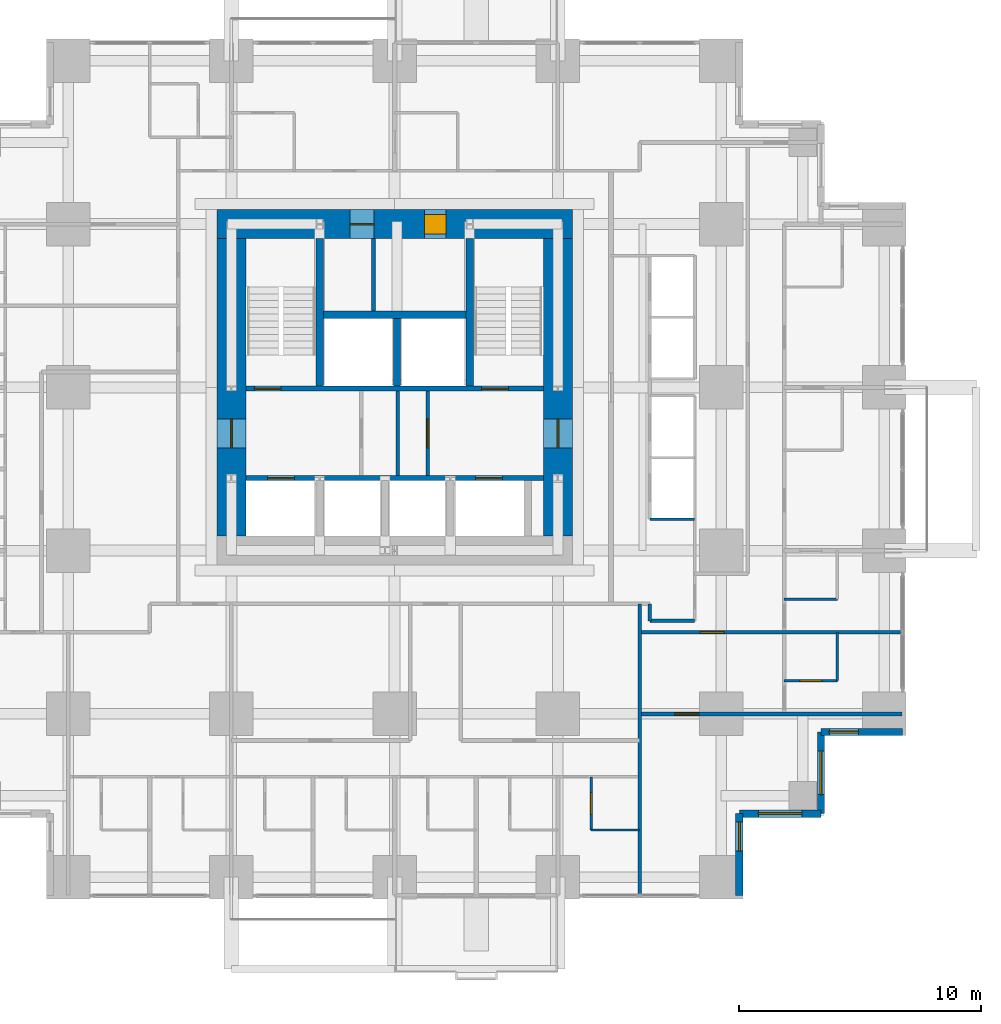
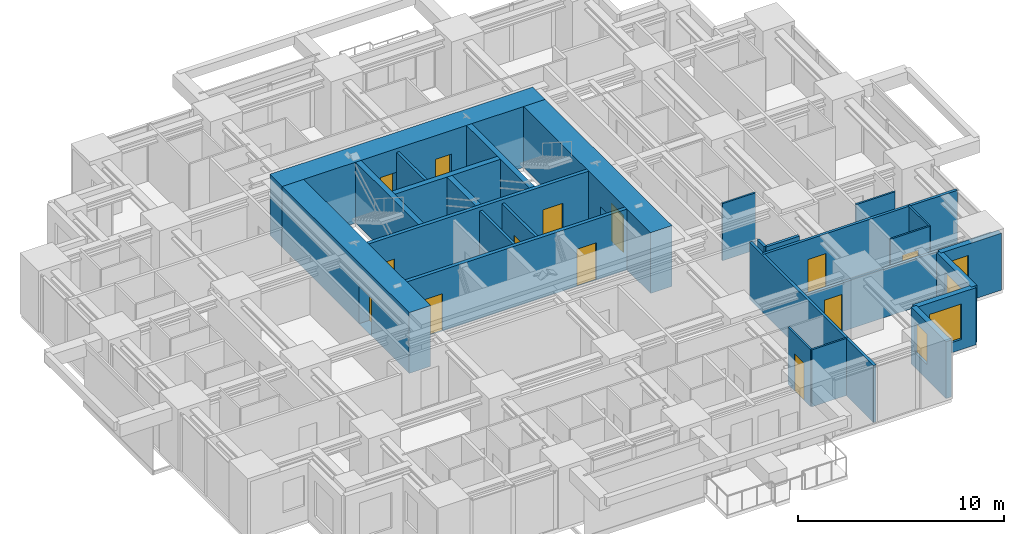
# One storey, part 9 of 13: 27 walls, 13 doors, 4 windows, 17 openings.
"""IFC4 building model written with IfcOpenShell, lengths in metres."""

from ifc_helpers import new_model, si_unit, direction, frame, frame_2d, origin, place, context, subcontext, project, spatial, rectangle, extrude, material, layer, layer_set, type_object, element, fill, save


model = new_model("IFC4")

# Units and contexts
model_context = context("Model", 3, precision=1e-05, world=origin(), true_north=direction((0.0, 1.0)))
body_context = subcontext(model_context, "Body", "Model", "MODEL_VIEW")
ifc_project = project(units=[si_unit("LENGTHUNIT", "METRE"), si_unit("AREAUNIT", "SQUARE_METRE"), si_unit("VOLUMEUNIT", "CUBIC_METRE"), si_unit("PLANEANGLEUNIT", "RADIAN"), si_unit("MASSUNIT", "GRAM", prefix="KILO")], contexts=[model_context])

# Site, building, storey
site_placement = place(None, origin())
site = spatial("IfcSite", under=ifc_project, at=site_placement, CompositionType="ELEMENT")
building_placement = place(site_placement, origin())
building = spatial("IfcBuilding", under=site, at=building_placement, Name="Nyansa Garden Tower", CompositionType="ELEMENT")
storey_placement = place(building_placement, frame((0.0, 0.0, 105.300048828125)))
storey = spatial("IfcBuildingStorey", under=building, at=storey_placement, Name="L28", CompositionType="ELEMENT", Elevation=105.300048828125)

# Wall, openings, doors
ifc_material_1 = material(Name="Concrete C70/85", Category="concrete")
ifc_layer_1 = layer(ifc_material_1, 0.199951171875)
ifc_layer_set_1 = layer_set([ifc_layer_1], Name="Core inner wall CI200")
wall_type_1 = type_object("IfcWallType", Name="Core inner wall CI200", PredefinedType="SHEAR", material=ifc_layer_set_1)
wall_1_placement = place(storey_placement, frame((14.10009765625, 16.5, 0.0), z_axis=(0.0, 0.0, 1.0), x_axis=(1.0, 0.0, 0.0)))
wall_1 = element("IfcWall", 1, at=wall_1_placement, inside=storey, type_object=wall_type_1, Name="Core inner wall L28", PredefinedType="SHEAR", context=body_context, shape_type="SweptSolid", body=[
    extrude(rectangle(XDim=12.2998046875, YDim=0.199951171875, at=frame_2d((6.14990234375, 0.0))), origin(), (0.0, 0.0, 1.0), 3.599853515625),
])
opening_1_placement = place(wall_1_placement, frame((0.89990234375, 0.0, 0.0)))
opening_1 = element("IfcOpeningElement", 2, at=opening_1_placement, cuts=wall_1, Name="Opening LD-F", PredefinedType="OPENING", context=body_context, shape_type="SweptSolid", body=[
    extrude(rectangle(XDim=1.10009765625, YDim=2.199951171875, at=frame_2d((0.550048828125, 1.10009765625))), frame((0.0, 0.10986328125, 0.0), z_axis=(0.0, -1.0, 0.0), x_axis=(1.0, 0.0, 0.0)), (0.0, 0.0, 1.0), 0.219970703125),
])
opening_2_placement = place(wall_1_placement, frame((9.5, 0.0, 0.0)))
opening_2 = element("IfcOpeningElement", 3, at=opening_2_placement, cuts=wall_1, Name="Opening LD-F", PredefinedType="OPENING", context=body_context, shape_type="SweptSolid", body=[
    extrude(rectangle(XDim=1.10009765625, YDim=2.199951171875, at=frame_2d((0.550048828125, 1.10009765625))), frame((0.0, 0.10986328125, 0.0), z_axis=(0.0, -1.0, 0.0), x_axis=(1.0, 0.0, 0.0)), (0.0, 0.0, 1.0), 0.219970703125),
])
ifc_material_2 = material(Name="Stainless steel centre-opening landing door of the firefighting lift, EN 81-72, E 120", Category="steel")
door_type_1 = type_object("IfcDoorType", Name="Lift landing door LD-F 1100x2200", OperationType="DOUBLE_DOOR_SLIDING", PredefinedType="DOOR", material=ifc_material_2)
door_1_placement = place(opening_1_placement, origin())
door_1 = element("IfcDoor", 4, at=door_1_placement, inside=storey, type_object=door_type_1, Name="Landing door FF1", OperationType="DOUBLE_DOOR_SLIDING", OverallHeight=2.199951171875, OverallWidth=1.10009765625, PredefinedType="DOOR", context=body_context, shape_type="SweptSolid", body=[
    extrude(rectangle(XDim=1.10009765625, YDim=2.199951171875, at=frame_2d((0.550048828125, 1.10009765625))), frame((0.0, 0.02490234375, 0.0), z_axis=(0.0, -1.0, 0.0), x_axis=(1.0, 0.0, 0.0)), (0.0, 0.0, 1.0), 0.050048828125),
])
fill(opening_1, door_1)
door_2_placement = place(opening_2_placement, origin())
door_2 = element("IfcDoor", 5, at=door_2_placement, inside=storey, type_object=door_type_1, Name="Landing door FF2", OperationType="DOUBLE_DOOR_SLIDING", OverallHeight=2.199951171875, OverallWidth=1.10009765625, PredefinedType="DOOR", context=body_context, shape_type="SweptSolid", body=[
    extrude(rectangle(XDim=1.10009765625, YDim=2.199951171875, at=frame_2d((0.550048828125, 1.10009765625))), frame((0.0, 0.02490234375, 0.0), z_axis=(0.0, -1.0, 0.0), x_axis=(1.0, 0.0, 0.0)), (0.0, 0.0, 1.0), 0.050048828125),
])
fill(opening_2, door_2)

wall_2_placement = place(storey_placement, frame((14.10009765625, 20.199951171875, 0.0), z_axis=(0.0, 0.0, 1.0), x_axis=(1.0, 0.0, 0.0)))
wall_2 = element("IfcWall", 6, at=wall_2_placement, inside=storey, type_object=wall_type_1, Name="Core inner wall L28", PredefinedType="SHEAR", context=body_context, shape_type="SweptSolid", body=[
    extrude(rectangle(XDim=12.2998046875, YDim=0.199951171875, at=frame_2d((6.14990234375, 0.0))), origin(), (0.0, 0.0, 1.0), 3.599853515625),
])
opening_3_placement = place(wall_2_placement, frame((0.35009765625, 0.0, 0.0)))
opening_3 = element("IfcOpeningElement", 7, at=opening_3_placement, cuts=wall_2, Name="Opening D05", PredefinedType="OPENING", context=body_context, shape_type="SweptSolid", body=[
    extrude(rectangle(XDim=1.10009765625, YDim=2.199951171875, at=frame_2d((0.550048828125, 1.10009765625))), frame((0.0, 0.10986328125, 0.0), z_axis=(0.0, -1.0, 0.0), x_axis=(1.0, 0.0, 0.0)), (0.0, 0.0, 1.0), 0.219970703125),
])
opening_4_placement = place(wall_2_placement, frame((9.75, 0.0, 0.0)))
opening_4 = element("IfcOpeningElement", 8, at=opening_4_placement, cuts=wall_2, Name="Opening D05", PredefinedType="OPENING", context=body_context, shape_type="SweptSolid", body=[
    extrude(rectangle(XDim=1.10009765625, YDim=2.199951171875, at=frame_2d((0.550048828125, 1.10009765625))), frame((0.0, 0.10986328125, 0.0), z_axis=(0.0, -1.0, 0.0), x_axis=(1.0, 0.0, 0.0)), (0.0, 0.0, 1.0), 0.219970703125),
])
ifc_material_3 = material(Name="Steel door, 120 minute fire resisting", Category="steel")
door_type_2 = type_object("IfcDoorType", Name="Stair door D05 1100x2200", OperationType="SINGLE_SWING_LEFT", PredefinedType="DOOR", material=ifc_material_3)
door_3_placement = place(opening_3_placement, origin())
door_3 = element("IfcDoor", 9, at=door_3_placement, inside=storey, type_object=door_type_2, Name="Stair S1 door", OperationType="SINGLE_SWING_LEFT", OverallHeight=2.199951171875, OverallWidth=1.10009765625, PredefinedType="DOOR", context=body_context, shape_type="SweptSolid", body=[
    extrude(rectangle(XDim=1.10009765625, YDim=2.199951171875, at=frame_2d((0.550048828125, 1.10009765625))), frame((0.0, 0.02490234375, 0.0), z_axis=(0.0, -1.0, 0.0), x_axis=(1.0, 0.0, 0.0)), (0.0, 0.0, 1.0), 0.050048828125),
])
fill(opening_3, door_3)
door_4_placement = place(opening_4_placement, origin())
door_4 = element("IfcDoor", 10, at=door_4_placement, inside=storey, type_object=door_type_2, Name="Stair S2 door", OperationType="SINGLE_SWING_LEFT", OverallHeight=2.199951171875, OverallWidth=1.10009765625, PredefinedType="DOOR", context=body_context, shape_type="SweptSolid", body=[
    extrude(rectangle(XDim=1.10009765625, YDim=2.199951171875, at=frame_2d((0.550048828125, 1.10009765625))), frame((0.0, 0.02490234375, 0.0), z_axis=(0.0, -1.0, 0.0), x_axis=(1.0, 0.0, 0.0)), (0.0, 0.0, 1.0), 0.050048828125),
])
fill(opening_4, door_4)

# Walls
ifc_material_4 = material(Name="Concrete C70/85", Category="concrete")
ifc_layer_2 = layer(ifc_material_4, 0.300048828125)
ifc_layer_set_2 = layer_set([ifc_layer_2], Name="Core inner wall CI300")
wall_type_2 = type_object("IfcWallType", Name="Core inner wall CI300", PredefinedType="SHEAR", material=ifc_layer_set_2)
for number, where, z_axis, x_axis, name in (
    (11, (17.14990234375, 20.300048828125, 0.0), (0.0, 0.0, 1.0), (0.0, 1.0, 0.0), "Core inner wall L28"),
    (12, (23.35009765625, 20.300048828125, 0.0), (0.0, 0.0, 1.0), (0.0, 1.0, 0.0), "Core inner wall L28"),
):
    element("IfcWall", number, at=place(storey_placement, frame(where, z_axis=z_axis, x_axis=x_axis)), inside=storey, type_object=wall_type_2, Name=name, PredefinedType="SHEAR", context=body_context, shape_type="SweptSolid", body=[
        extrude(rectangle(XDim=6.099853515625, YDim=0.300048828125, at=frame_2d((3.0498046875, 0.0))), origin(), (0.0, 0.0, 1.0), 3.599853515625),
    ])
wall_3_placement = place(storey_placement, frame((20.35009765625, 20.300048828125, 0.0), z_axis=(0.0, 0.0, 1.0), x_axis=(0.0, 1.0, 0.0)))
element("IfcWall", 13, at=wall_3_placement, inside=storey, type_object=wall_type_2, Name="Core inner wall L28", PredefinedType="SHEAR", context=body_context, shape_type="SweptSolid", body=[
    extrude(rectangle(XDim=2.800048828125, YDim=0.300048828125, at=frame_2d((1.39990234375, 0.0))), origin(), (0.0, 0.0, 1.0), 3.599853515625),
])
wall_4_placement = place(storey_placement, frame((17.300048828125, 23.25, 0.0), z_axis=(0.0, 0.0, 1.0), x_axis=(1.0, 0.0, 0.0)))
element("IfcWall", 14, at=wall_4_placement, inside=storey, type_object=wall_type_2, Name="Core inner wall L28", PredefinedType="SHEAR", context=body_context, shape_type="SweptSolid", body=[
    extrude(rectangle(XDim=5.89990234375, YDim=0.300048828125, at=frame_2d((2.949951171875, 0.0))), origin(), (0.0, 0.0, 1.0), 3.599853515625),
])

# Wall, opening, door
ifc_material_5 = material(Name="Concrete C80/95", Category="concrete")
ifc_layer_3 = layer(ifc_material_5, 1.199951171875)
ifc_layer_set_3 = layer_set([ifc_layer_3], Name="Core wall CW1200")
wall_type_3 = type_object("IfcWallType", Name="Core wall CW1200", PredefinedType="SHEAR", material=ifc_layer_set_3)
wall_5_placement = place(storey_placement, frame((27.0, 14.10009765625, 0.0), z_axis=(0.0, 0.0, 1.0), x_axis=(0.0, 1.0, 0.0)))
wall_5 = element("IfcWall", 15, at=wall_5_placement, inside=storey, type_object=wall_type_3, Name="Core wall E L28", PredefinedType="SHEAR", context=body_context, shape_type="SweptSolid", body=[
    extrude(rectangle(XDim=12.2998046875, YDim=1.199951171875, at=frame_2d((6.14990234375, 0.0))), origin(), (0.0, 0.0, 1.0), 3.599853515625),
])
opening_5_placement = place(wall_5_placement, frame((3.64990234375, 0.0, 0.0)))
opening_5 = element("IfcOpeningElement", 16, at=opening_5_placement, cuts=wall_5, Name="Opening D06", PredefinedType="OPENING", context=body_context, shape_type="SweptSolid", body=[
    extrude(rectangle(XDim=1.199951171875, YDim=2.199951171875, at=frame_2d((0.60009765625, 1.10009765625))), frame((0.0, 0.60986328125, 0.0), z_axis=(0.0, -1.0, 0.0), x_axis=(1.0, 0.0, 0.0)), (0.0, 0.0, 1.0), 1.219970703125),
])
ifc_material_6 = material(Name="Steel door, 120 minute fire resisting", Category="steel")
door_type_3 = type_object("IfcDoorType", Name="Lobby door D06 1200x2200", OperationType="DOUBLE_DOOR_SINGLE_SWING", PredefinedType="DOOR", material=ifc_material_6)
door_5_placement = place(opening_5_placement, origin())
door_5 = element("IfcDoor", 17, at=door_5_placement, inside=storey, type_object=door_type_3, Name="Lift lobby door east", OperationType="DOUBLE_DOOR_SINGLE_SWING", OverallHeight=2.199951171875, OverallWidth=1.199951171875, PredefinedType="DOOR", context=body_context, shape_type="SweptSolid", body=[
    extrude(rectangle(XDim=1.199951171875, YDim=2.199951171875, at=frame_2d((0.60009765625, 1.10009765625))), frame((0.0, 0.02490234375, 0.0), z_axis=(0.0, -1.0, 0.0), x_axis=(1.0, 0.0, 0.0)), (0.0, 0.0, 1.0), 0.050048828125),
])
fill(opening_5, door_5)

# Wall, openings, doors
wall_6_placement = place(storey_placement, frame((27.60009765625, 27.0, 0.0), z_axis=(0.0, 0.0, 1.0), x_axis=(-1.0, 0.0, 0.0)))
wall_6 = element("IfcWall", 18, at=wall_6_placement, inside=storey, type_object=wall_type_3, Name="Core wall N L28", PredefinedType="SHEAR", context=body_context, shape_type="SweptSolid", body=[
    extrude(rectangle(XDim=14.7001953125, YDim=1.199951171875, at=frame_2d((7.35009765625, 0.0))), origin(), (0.0, 0.0, 1.0), 3.599853515625),
])
opening_6_placement = place(wall_6_placement, frame((5.22509765625, 0.0, 0.0)))
opening_6 = element("IfcOpeningElement", 19, at=opening_6_placement, cuts=wall_6, Name="Opening D15", PredefinedType="OPENING", context=body_context, shape_type="SweptSolid", body=[
    extrude(rectangle(XDim=0.89990234375, YDim=2.199951171875, at=frame_2d((0.449951171875, 1.10009765625))), frame((0.0, 0.60986328125, 0.0), z_axis=(0.0, -1.0, 0.0), x_axis=(1.0, 0.0, 0.0)), (0.0, 0.0, 1.0), 1.219970703125),
])
opening_7_placement = place(wall_6_placement, frame((8.199951171875, 0.0, 0.0)))
opening_7 = element("IfcOpeningElement", 20, at=opening_7_placement, cuts=wall_6, Name="Opening D07", PredefinedType="OPENING", context=body_context, shape_type="SweptSolid", body=[
    extrude(rectangle(XDim=1.0, YDim=2.199951171875, at=frame_2d((0.5, 1.10009765625))), frame((0.0, 0.60986328125, 0.0), z_axis=(0.0, -1.0, 0.0), x_axis=(1.0, 0.0, 0.0)), (0.0, 0.0, 1.0), 1.219970703125),
])
ifc_material_7 = material(Name="Timber flush door, 60 minute fire resisting, self-closing", Category="wood")
door_type_4 = type_object("IfcDoorType", Name="Core room door D15 900x2200", OperationType="SINGLE_SWING_LEFT", PredefinedType="DOOR", material=ifc_material_7)
door_6_placement = place(opening_6_placement, origin())
door_6 = element("IfcDoor", 21, at=door_6_placement, inside=storey, type_object=door_type_4, Name="Core room door", OperationType="SINGLE_SWING_LEFT", OverallHeight=2.199951171875, OverallWidth=0.89990234375, PredefinedType="DOOR", context=body_context, shape_type="SweptSolid", body=[
    extrude(rectangle(XDim=0.89990234375, YDim=2.199951171875, at=frame_2d((0.449951171875, 1.10009765625))), frame((0.0, 0.39990234375, 0.0), z_axis=(0.0, -1.0, 0.0), x_axis=(1.0, 0.0, 0.0)), (0.0, 0.0, 1.0), 0.800048828125),
])
fill(opening_6, door_6)
ifc_material_8 = material(Name="Steel door, 120 minute fire resisting", Category="steel")
door_type_5 = type_object("IfcDoorType", Name="Riser door D07 1000x2200", OperationType="SINGLE_SWING_LEFT", PredefinedType="DOOR", material=ifc_material_8)
door_7_placement = place(opening_7_placement, origin())
door_7 = element("IfcDoor", 22, at=door_7_placement, inside=storey, type_object=door_type_5, Name="Riser and refuse room door", OperationType="SINGLE_SWING_LEFT", OverallHeight=2.199951171875, OverallWidth=1.0, PredefinedType="DOOR", context=body_context, shape_type="SweptSolid", body=[
    extrude(rectangle(XDim=1.0, YDim=2.199951171875, at=frame_2d((0.5, 1.10009765625))), frame((0.0, 0.02490234375, 0.0), z_axis=(0.0, -1.0, 0.0), x_axis=(1.0, 0.0, 0.0)), (0.0, 0.0, 1.0), 0.050048828125),
])
fill(opening_7, door_7)

# Wall, opening, door
wall_7_placement = place(storey_placement, frame((13.5, 26.39990234375, 0.0), z_axis=(0.0, 0.0, 1.0), x_axis=(0.0, -1.0, 0.0)))
wall_7 = element("IfcWall", 23, at=wall_7_placement, inside=storey, type_object=wall_type_3, Name="Core wall W L28", PredefinedType="SHEAR", context=body_context, shape_type="SweptSolid", body=[
    extrude(rectangle(XDim=12.2998046875, YDim=1.199951171875, at=frame_2d((6.14990234375, 0.0))), origin(), (0.0, 0.0, 1.0), 3.599853515625),
])
opening_8_placement = place(wall_7_placement, frame((7.449951171875, 0.0, 0.0)))
opening_8 = element("IfcOpeningElement", 24, at=opening_8_placement, cuts=wall_7, Name="Opening D06", PredefinedType="OPENING", context=body_context, shape_type="SweptSolid", body=[
    extrude(rectangle(XDim=1.199951171875, YDim=2.199951171875, at=frame_2d((0.60009765625, 1.10009765625))), frame((0.0, 0.60986328125, 0.0), z_axis=(0.0, -1.0, 0.0), x_axis=(1.0, 0.0, 0.0)), (0.0, 0.0, 1.0), 1.219970703125),
])
door_8_placement = place(opening_8_placement, origin())
door_8 = element("IfcDoor", 25, at=door_8_placement, inside=storey, type_object=door_type_3, Name="Lift lobby door west", OperationType="DOUBLE_DOOR_SINGLE_SWING", OverallHeight=2.199951171875, OverallWidth=1.199951171875, PredefinedType="DOOR", context=body_context, shape_type="SweptSolid", body=[
    extrude(rectangle(XDim=1.199951171875, YDim=2.199951171875, at=frame_2d((0.60009765625, 1.10009765625))), frame((0.0, 0.02490234375, 0.0), z_axis=(0.0, -1.0, 0.0), x_axis=(1.0, 0.0, 0.0)), (0.0, 0.0, 1.0), 0.050048828125),
])
fill(opening_8, door_8)

# Wall
ifc_material_9 = material(Name="Steel-stud shaft wall, two layers fire-rated board, EI 120", Category="steel")
ifc_layer_4 = layer(ifc_material_9, 0.10009765625)
ifc_layer_set_4 = layer_set([ifc_layer_4], Name="Lift shaft wall SW100")
wall_type_4 = type_object("IfcWallType", Name="Lift shaft wall SW100", PredefinedType="SHEAR", material=ifc_layer_set_4)
wall_8_placement = place(storey_placement, frame((30.800048828125, 14.800048828125, 0.0), z_axis=(0.0, 0.0, 1.0), x_axis=(1.0, 0.0, 0.0)))
element("IfcWall", 26, at=wall_8_placement, inside=storey, type_object=wall_type_4, Name="Lift shaft wall", PredefinedType="SHEAR", context=body_context, shape_type="SweptSolid", body=[
    extrude(rectangle(XDim=1.849853515625, YDim=0.10009765625, at=frame_2d((0.9248046875, 0.0))), origin(), (0.0, 0.0, 1.0), 3.375),
])

# Wall, opening, door
ifc_material_10 = material(Name="Blockwork, plastered both sides", Category="masonry")
ifc_layer_5 = layer(ifc_material_10, 0.14990234375)
ifc_layer_set_5 = layer_set([ifc_layer_5], Name="Partition PW150")
wall_type_5 = type_object("IfcWallType", Name="Partition PW150", PredefinedType="PARTITIONING", material=ifc_layer_set_5)
wall_9_placement = place(storey_placement, frame((21.625, 16.60009765625, 0.0), z_axis=(0.0, 0.0, 1.0), x_axis=(0.0, 1.0, 0.0)))
wall_9 = element("IfcWall", 27, at=wall_9_placement, inside=storey, type_object=wall_type_5, Name="Partition", PredefinedType="PARTITIONING", context=body_context, shape_type="SweptSolid", body=[
    extrude(rectangle(XDim=3.5, YDim=0.14990234375, at=frame_2d((1.75, 0.0))), origin(), (0.0, 0.0, 1.0), 3.375),
])
opening_9_placement = place(wall_9_placement, frame((1.14990234375, 0.0, 0.0)))
opening_9 = element("IfcOpeningElement", 28, at=opening_9_placement, cuts=wall_9, Name="Opening D06", PredefinedType="OPENING", context=body_context, shape_type="SweptSolid", body=[
    extrude(rectangle(XDim=1.199951171875, YDim=2.199951171875, at=frame_2d((0.60009765625, 1.10009765625))), frame((0.0, 0.0849609375, 0.0), z_axis=(0.0, -1.0, 0.0), x_axis=(1.0, 0.0, 0.0)), (0.0, 0.0, 1.0), 0.169921875),
])
door_9_placement = place(opening_9_placement, origin())
door_9 = element("IfcDoor", 29, at=door_9_placement, inside=storey, type_object=door_type_3, Name="Passenger lift lobby door", OperationType="DOUBLE_DOOR_SINGLE_SWING", OverallHeight=2.199951171875, OverallWidth=1.199951171875, PredefinedType="DOOR", context=body_context, shape_type="SweptSolid", body=[
    extrude(rectangle(XDim=1.199951171875, YDim=2.199951171875, at=frame_2d((0.60009765625, 1.10009765625))), frame((0.0, 0.02490234375, 0.0), z_axis=(0.0, -1.0, 0.0), x_axis=(1.0, 0.0, 0.0)), (0.0, 0.0, 1.0), 0.050048828125),
])
fill(opening_9, door_9)

# Walls
wall_10_placement = place(storey_placement, frame((20.3798828125, 16.60009765625, 0.0), z_axis=(0.0, 0.0, 1.0), x_axis=(0.0, 1.0, 0.0)))
element("IfcWall", 30, at=wall_10_placement, inside=storey, type_object=wall_type_5, Name="Partition", PredefinedType="PARTITIONING", context=body_context, shape_type="SweptSolid", body=[
    extrude(rectangle(XDim=3.5, YDim=0.14990234375, at=frame_2d((1.75, 0.0))), origin(), (0.0, 0.0, 1.0), 3.375),
])
wall_11_placement = place(storey_placement, frame((19.375, 23.39990234375, 0.0), z_axis=(0.0, 0.0, 1.0), x_axis=(0.0, 1.0, 0.0)))
element("IfcWall", 31, at=wall_11_placement, inside=storey, type_object=wall_type_5, Name="Partition", PredefinedType="PARTITIONING", context=body_context, shape_type="SweptSolid", body=[
    extrude(rectangle(XDim=3.0, YDim=0.14990234375, at=frame_2d((1.5, 0.0))), origin(), (0.0, 0.0, 1.0), 3.375),
])
wall_12_placement = place(storey_placement, frame((30.375, -0.73388671875, 0.0), z_axis=(0.0, 0.0, 1.0), x_axis=(0.0, 1.0, 0.0)))
element("IfcWall", 32, at=wall_12_placement, inside=storey, type_object=wall_type_5, Name="Partition", PredefinedType="PARTITIONING", context=body_context, shape_type="SweptSolid", body=[
    extrude(rectangle(XDim=12.033935546875, YDim=0.14990234375, at=frame_2d((6.01708984375, 0.0))), origin(), (0.0, 0.0, 1.0), 3.375),
])

# Wall, opening, door
wall_13_placement = place(storey_placement, frame((30.375, 6.75, 0.0), z_axis=(0.0, 0.0, 1.0), x_axis=(1.0, 0.0, 0.0)))
wall_13 = element("IfcWall", 33, at=wall_13_placement, inside=storey, type_object=wall_type_5, Name="Partition", PredefinedType="PARTITIONING", context=body_context, shape_type="SweptSolid", body=[
    extrude(rectangle(XDim=10.85888671875, YDim=0.14990234375, at=frame_2d((5.429443359375, 0.0))), origin(), (0.0, 0.0, 1.0), 2.876953125),
])
opening_10_placement = place(wall_13_placement, frame((1.449951171875, 0.0, 0.0)))
opening_10 = element("IfcOpeningElement", 34, at=opening_10_placement, cuts=wall_13, Name="Opening D03", PredefinedType="OPENING", context=body_context, shape_type="SweptSolid", body=[
    extrude(rectangle(XDim=1.0, YDim=2.199951171875, at=frame_2d((0.5, 1.10009765625))), frame((0.0, 0.0849609375, 0.0), z_axis=(0.0, -1.0, 0.0), x_axis=(1.0, 0.0, 0.0)), (0.0, 0.0, 1.0), 0.169921875),
])
ifc_material_11 = material(Name="Timber flush door, 60 minute fire resisting", Category="wood")
door_type_6 = type_object("IfcDoorType", Name="Cluster entrance door D03 1000x2200", OperationType="SINGLE_SWING_LEFT", PredefinedType="DOOR", material=ifc_material_11)
door_10_placement = place(opening_10_placement, origin())
door_10 = element("IfcDoor", 35, at=door_10_placement, inside=storey, type_object=door_type_6, Name="Door L28-036", OperationType="SINGLE_SWING_LEFT", OverallHeight=2.199951171875, OverallWidth=1.0, PredefinedType="DOOR", context=body_context, shape_type="SweptSolid", body=[
    extrude(rectangle(XDim=1.0, YDim=2.199951171875, at=frame_2d((0.5, 1.10009765625))), frame((0.0, 0.02490234375, 0.0), z_axis=(0.0, -1.0, 0.0), x_axis=(1.0, 0.0, 0.0)), (0.0, 0.0, 1.0), 0.050048828125),
])
fill(opening_10, door_10)

wall_14_placement = place(storey_placement, frame((30.375, 10.125, 0.0), z_axis=(0.0, 0.0, 1.0), x_axis=(1.0, 0.0, 0.0)))
wall_14 = element("IfcWall", 36, at=wall_14_placement, inside=storey, type_object=wall_type_5, Name="Partition", PredefinedType="PARTITIONING", context=body_context, shape_type="SweptSolid", body=[
    extrude(rectangle(XDim=10.85888671875, YDim=0.14990234375, at=frame_2d((5.429443359375, 0.0))), origin(), (0.0, 0.0, 1.0), 3.375),
])
opening_11_placement = place(wall_14_placement, frame((2.5, 0.0, 0.0)))
opening_11 = element("IfcOpeningElement", 37, at=opening_11_placement, cuts=wall_14, Name="Opening D03", PredefinedType="OPENING", context=body_context, shape_type="SweptSolid", body=[
    extrude(rectangle(XDim=1.0, YDim=2.199951171875, at=frame_2d((0.5, 1.10009765625))), frame((0.0, 0.0849609375, 0.0), z_axis=(0.0, -1.0, 0.0), x_axis=(1.0, 0.0, 0.0)), (0.0, 0.0, 1.0), 0.169921875),
])
door_11_placement = place(opening_11_placement, origin())
door_11 = element("IfcDoor", 38, at=door_11_placement, inside=storey, type_object=door_type_6, Name="Door L28-039", OperationType="SINGLE_SWING_LEFT", OverallHeight=2.199951171875, OverallWidth=1.0, PredefinedType="DOOR", context=body_context, shape_type="SweptSolid", body=[
    extrude(rectangle(XDim=1.0, YDim=2.199951171875, at=frame_2d((0.5, 1.10009765625))), frame((0.0, 0.02490234375, 0.0), z_axis=(0.0, -1.0, 0.0), x_axis=(1.0, 0.0, 0.0)), (0.0, 0.0, 1.0), 0.050048828125),
])
fill(opening_11, door_11)

# Walls
wall_15_placement = place(storey_placement, frame((30.800048828125, 10.60009765625, 0.0), z_axis=(0.0, 0.0, 1.0), x_axis=(0.0, 1.0, 0.0)))
element("IfcWall", 39, at=wall_15_placement, inside=storey, type_object=wall_type_5, Name="Partition", PredefinedType="PARTITIONING", context=body_context, shape_type="SweptSolid", body=[
    extrude(rectangle(XDim=0.699951171875, YDim=0.14990234375, at=frame_2d((0.35009765625, 0.0))), origin(), (0.0, 0.0, 1.0), 3.375),
])
wall_16_placement = place(storey_placement, frame((30.800048828125, 10.60009765625, 0.0), z_axis=(0.0, 0.0, 1.0), x_axis=(1.0, 0.0, 0.0)))
element("IfcWall", 40, at=wall_16_placement, inside=storey, type_object=wall_type_5, Name="Partition", PredefinedType="PARTITIONING", context=body_context, shape_type="SweptSolid", body=[
    extrude(rectangle(XDim=1.849853515625, YDim=0.14990234375, at=frame_2d((0.9248046875, 0.0))), origin(), (0.0, 0.0, 1.0), 3.375),
])

# Wall, opening, window
ifc_material_12 = material(Name="Turquoise glazed tile on concrete blockwork", Category="masonry")
ifc_layer_6 = layer(ifc_material_12, 0.300048828125)
ifc_layer_set_6 = layer_set([ifc_layer_6], Name="Tiled corner wall TW300")
wall_type_6 = type_object("IfcWallType", Name="Tiled corner wall TW300", PredefinedType="SOLIDWALL", material=ifc_layer_set_6)
wall_17_placement = place(storey_placement, frame((34.5, -0.75, 0.0), z_axis=(0.0, 0.0, 1.0), x_axis=(0.0, 1.0, 0.0)))
wall_17 = element("IfcWall", 41, at=wall_17_placement, inside=storey, type_object=wall_type_6, Name="Tiled corner wall L28", PredefinedType="SOLIDWALL", context=body_context, shape_type="SweptSolid", body=[
    extrude(rectangle(XDim=3.375, YDim=0.300048828125, at=frame_2d((1.6875, 0.0))), origin(), (0.0, 0.0, 1.0), 3.375),
])
opening_12_placement = place(wall_17_placement, frame((1.83251953125, 0.0, 0.89990234375)))
opening_12 = element("IfcOpeningElement", 42, at=opening_12_placement, cuts=wall_17, Name="Opening W4", PredefinedType="OPENING", context=body_context, shape_type="SweptSolid", body=[
    extrude(rectangle(XDim=1.199951171875, YDim=1.800048828125, at=frame_2d((0.60009765625, 0.89990234375))), frame((0.0, 0.159912109375, 0.0), z_axis=(0.0, -1.0, 0.0), x_axis=(1.0, 0.0, 0.0)), (0.0, 0.0, 1.0), 0.320068359375),
])
ifc_material_13 = material(Name="Black aluminium frame, dark tinted double glazing", Category="aluminium")
window_type_1 = type_object("IfcWindowType", Name="Window W4 1200x1800", PartitioningType="SINGLE_PANEL", PredefinedType="WINDOW", material=ifc_material_13)
window_1_placement = place(opening_12_placement, origin())
window_1 = element("IfcWindow", 43, at=window_1_placement, inside=storey, type_object=window_type_1, Name="Corner window L28", OverallHeight=1.800048828125, OverallWidth=1.199951171875, PartitioningType="SINGLE_PANEL", PredefinedType="WINDOW", context=body_context, shape_type="SweptSolid", body=[
    extrude(rectangle(XDim=1.199951171875, YDim=1.800048828125, at=frame_2d((0.60009765625, 0.89990234375))), frame((0.0, 0.030029296875, 0.0), z_axis=(0.0, -1.0, 0.0), x_axis=(1.0, 0.0, 0.0)), (0.0, 0.0, 1.0), 0.06005859375),
])
fill(opening_12, window_1)

wall_18_placement = place(storey_placement, frame((34.5, 2.625, 0.0), z_axis=(0.0, 0.0, 1.0), x_axis=(1.0, 0.0, 0.0)))
wall_18 = element("IfcWall", 44, at=wall_18_placement, inside=storey, type_object=wall_type_6, Name="Tiled corner wall L28", PredefinedType="SOLIDWALL", context=body_context, shape_type="SweptSolid", body=[
    extrude(rectangle(XDim=3.375, YDim=0.300048828125, at=frame_2d((1.6875, 0.0))), origin(), (0.0, 0.0, 1.0), 3.375),
])
opening_13_placement = place(wall_18_placement, frame((0.78759765625, 0.0, 0.60009765625)))
opening_13 = element("IfcOpeningElement", 45, at=opening_13_placement, cuts=wall_18, Name="Opening W2", PredefinedType="OPENING", context=body_context, shape_type="SweptSolid", body=[
    extrude(rectangle(XDim=1.800048828125, YDim=2.10009765625, at=frame_2d((0.89990234375, 1.050048828125))), frame((0.0, 0.159912109375, 0.0), z_axis=(0.0, -1.0, 0.0), x_axis=(1.0, 0.0, 0.0)), (0.0, 0.0, 1.0), 0.320068359375),
])
ifc_material_14 = material(Name="Black aluminium frame, dark tinted double glazing", Category="aluminium")
window_type_2 = type_object("IfcWindowType", Name="Window W2 1800x2100", PartitioningType="SINGLE_PANEL", PredefinedType="WINDOW", material=ifc_material_14)
window_2_placement = place(opening_13_placement, origin())
window_2 = element("IfcWindow", 46, at=window_2_placement, inside=storey, type_object=window_type_2, Name="Corner window L28", OverallHeight=2.10009765625, OverallWidth=1.800048828125, PartitioningType="SINGLE_PANEL", PredefinedType="WINDOW", context=body_context, shape_type="SweptSolid", body=[
    extrude(rectangle(XDim=1.800048828125, YDim=2.10009765625, at=frame_2d((0.89990234375, 1.050048828125))), frame((0.0, 0.030029296875, 0.0), z_axis=(0.0, -1.0, 0.0), x_axis=(1.0, 0.0, 0.0)), (0.0, 0.0, 1.0), 0.06005859375),
])
fill(opening_13, window_2)

wall_19_placement = place(storey_placement, frame((37.875, 2.625, 0.0), z_axis=(0.0, 0.0, 1.0), x_axis=(0.0, 1.0, 0.0)))
wall_19 = element("IfcWall", 47, at=wall_19_placement, inside=storey, type_object=wall_type_6, Name="Tiled corner wall L28", PredefinedType="SOLIDWALL", context=body_context, shape_type="SweptSolid", body=[
    extrude(rectangle(XDim=3.375, YDim=0.300048828125, at=frame_2d((1.6875, 0.0))), origin(), (0.0, 0.0, 1.0), 3.375),
])
opening_14_placement = place(wall_19_placement, frame((0.78759765625, 0.0, 0.60009765625)))
opening_14 = element("IfcOpeningElement", 48, at=opening_14_placement, cuts=wall_19, Name="Opening W2", PredefinedType="OPENING", context=body_context, shape_type="SweptSolid", body=[
    extrude(rectangle(XDim=1.800048828125, YDim=2.10009765625, at=frame_2d((0.89990234375, 1.050048828125))), frame((0.0, 0.159912109375, 0.0), z_axis=(0.0, -1.0, 0.0), x_axis=(1.0, 0.0, 0.0)), (0.0, 0.0, 1.0), 0.320068359375),
])
window_3_placement = place(opening_14_placement, origin())
window_3 = element("IfcWindow", 49, at=window_3_placement, inside=storey, type_object=window_type_2, Name="Corner window L28", OverallHeight=2.10009765625, OverallWidth=1.800048828125, PartitioningType="SINGLE_PANEL", PredefinedType="WINDOW", context=body_context, shape_type="SweptSolid", body=[
    extrude(rectangle(XDim=1.800048828125, YDim=2.10009765625, at=frame_2d((0.89990234375, 1.050048828125))), frame((0.0, 0.030029296875, 0.0), z_axis=(0.0, -1.0, 0.0), x_axis=(1.0, 0.0, 0.0)), (0.0, 0.0, 1.0), 0.06005859375),
])
fill(opening_14, window_3)

wall_20_placement = place(storey_placement, frame((37.875, 6.0, 0.0), z_axis=(0.0, 0.0, 1.0), x_axis=(1.0, 0.0, 0.0)))
wall_20 = element("IfcWall", 50, at=wall_20_placement, inside=storey, type_object=wall_type_6, Name="Tiled corner wall L28", PredefinedType="SOLIDWALL", context=body_context, shape_type="SweptSolid", body=[
    extrude(rectangle(XDim=3.375, YDim=0.300048828125, at=frame_2d((1.6875, 0.0))), origin(), (0.0, 0.0, 1.0), 3.375),
])
opening_15_placement = place(wall_20_placement, frame((0.342529296875, 0.0, 0.89990234375)))
opening_15 = element("IfcOpeningElement", 51, at=opening_15_placement, cuts=wall_20, Name="Opening W4", PredefinedType="OPENING", context=body_context, shape_type="SweptSolid", body=[
    extrude(rectangle(XDim=1.199951171875, YDim=1.800048828125, at=frame_2d((0.60009765625, 0.89990234375))), frame((0.0, 0.159912109375, 0.0), z_axis=(0.0, -1.0, 0.0), x_axis=(1.0, 0.0, 0.0)), (0.0, 0.0, 1.0), 0.320068359375),
])
window_4_placement = place(opening_15_placement, origin())
window_4 = element("IfcWindow", 52, at=window_4_placement, inside=storey, type_object=window_type_1, Name="Corner window L28", OverallHeight=1.800048828125, OverallWidth=1.199951171875, PartitioningType="SINGLE_PANEL", PredefinedType="WINDOW", context=body_context, shape_type="SweptSolid", body=[
    extrude(rectangle(XDim=1.199951171875, YDim=1.800048828125, at=frame_2d((0.60009765625, 0.89990234375))), frame((0.0, 0.030029296875, 0.0), z_axis=(0.0, -1.0, 0.0), x_axis=(1.0, 0.0, 0.0)), (0.0, 0.0, 1.0), 0.06005859375),
])
fill(opening_15, window_4)

# Wall, opening, door
ifc_material_15 = material(Name="Moisture resistant board on steel studs, tiled", Category="steel")
ifc_layer_7 = layer(ifc_material_15, 0.10009765625)
ifc_layer_set_7 = layer_set([ifc_layer_7], Name="Wet wall PW100")
wall_type_7 = type_object("IfcWallType", Name="Wet wall PW100", PredefinedType="PARTITIONING", material=ifc_layer_set_7)
wall_21_placement = place(storey_placement, frame((28.375, 1.949951171875, 0.0), z_axis=(0.0, 0.0, 1.0), x_axis=(0.0, 1.0, 0.0)))
wall_21 = element("IfcWall", 53, at=wall_21_placement, inside=storey, type_object=wall_type_7, Name="Wet wall", PredefinedType="PARTITIONING", context=body_context, shape_type="SweptSolid", body=[
    extrude(rectangle(XDim=2.199951171875, YDim=0.10009765625, at=frame_2d((1.10009765625, 0.0))), origin(), (0.0, 0.0, 1.0), 3.375),
])
opening_16_placement = place(wall_21_placement, frame((0.64990234375, 0.0, 0.0)))
opening_16 = element("IfcOpeningElement", 54, at=opening_16_placement, cuts=wall_21, Name="Opening D02", PredefinedType="OPENING", context=body_context, shape_type="SweptSolid", body=[
    extrude(rectangle(XDim=0.89990234375, YDim=2.199951171875, at=frame_2d((0.449951171875, 1.10009765625))), frame((0.0, 0.06005859375, 0.0), z_axis=(0.0, -1.0, 0.0), x_axis=(1.0, 0.0, 0.0)), (0.0, 0.0, 1.0), 0.1201171875),
])
ifc_material_16 = material(Name="Timber flush door", Category="wood")
door_type_7 = type_object("IfcDoorType", Name="En-suite door D02 900x2200", OperationType="SINGLE_SWING_RIGHT", PredefinedType="DOOR", material=ifc_material_16)
door_12_placement = place(opening_16_placement, origin())
door_12 = element("IfcDoor", 55, at=door_12_placement, inside=storey, type_object=door_type_7, Name="Door L28-032", OperationType="SINGLE_SWING_RIGHT", OverallHeight=2.199951171875, OverallWidth=0.89990234375, PredefinedType="DOOR", context=body_context, shape_type="SweptSolid", body=[
    extrude(rectangle(XDim=0.89990234375, YDim=2.199951171875, at=frame_2d((0.449951171875, 1.10009765625))), frame((0.0, 0.02490234375, 0.0), z_axis=(0.0, -1.0, 0.0), x_axis=(1.0, 0.0, 0.0)), (0.0, 0.0, 1.0), 0.050048828125),
])
fill(opening_16, door_12)

# Wall
wall_22_placement = place(storey_placement, frame((28.375, 1.949951171875, 0.0), z_axis=(0.0, 0.0, 1.0), x_axis=(1.0, 0.0, 0.0)))
element("IfcWall", 56, at=wall_22_placement, inside=storey, type_object=wall_type_7, Name="Wet wall", PredefinedType="PARTITIONING", context=body_context, shape_type="SweptSolid", body=[
    extrude(rectangle(XDim=2.0, YDim=0.10009765625, at=frame_2d((1.0, 0.0))), origin(), (0.0, 0.0, 1.0), 3.375),
])

# Wall, opening, door
wall_23_placement = place(storey_placement, frame((36.35009765625, 8.125, 0.0), z_axis=(0.0, 0.0, 1.0), x_axis=(1.0, 0.0, 0.0)))
wall_23 = element("IfcWall", 57, at=wall_23_placement, inside=storey, type_object=wall_type_7, Name="Wet wall", PredefinedType="PARTITIONING", context=body_context, shape_type="SweptSolid", body=[
    extrude(rectangle(XDim=2.199951171875, YDim=0.10009765625, at=frame_2d((1.10009765625, 0.0))), origin(), (0.0, 0.0, 1.0), 3.375),
])
opening_17_placement = place(wall_23_placement, frame((0.64990234375, 0.0, 0.0)))
opening_17 = element("IfcOpeningElement", 58, at=opening_17_placement, cuts=wall_23, Name="Opening D02", PredefinedType="OPENING", context=body_context, shape_type="SweptSolid", body=[
    extrude(rectangle(XDim=0.89990234375, YDim=2.199951171875, at=frame_2d((0.449951171875, 1.10009765625))), frame((0.0, 0.06005859375, 0.0), z_axis=(0.0, -1.0, 0.0), x_axis=(1.0, 0.0, 0.0)), (0.0, 0.0, 1.0), 0.1201171875),
])
door_13_placement = place(opening_17_placement, origin())
door_13 = element("IfcDoor", 59, at=door_13_placement, inside=storey, type_object=door_type_7, Name="Door L28-038", OperationType="SINGLE_SWING_RIGHT", OverallHeight=2.199951171875, OverallWidth=0.89990234375, PredefinedType="DOOR", context=body_context, shape_type="SweptSolid", body=[
    extrude(rectangle(XDim=0.89990234375, YDim=2.199951171875, at=frame_2d((0.449951171875, 1.10009765625))), frame((0.0, 0.02490234375, 0.0), z_axis=(0.0, -1.0, 0.0), x_axis=(1.0, 0.0, 0.0)), (0.0, 0.0, 1.0), 0.050048828125),
])
fill(opening_17, door_13)

# Walls
wall_24_placement = place(storey_placement, frame((36.35009765625, 11.5, 0.0), z_axis=(0.0, 0.0, 1.0), x_axis=(1.0, 0.0, 0.0)))
element("IfcWall", 60, at=wall_24_placement, inside=storey, type_object=wall_type_7, Name="Wet wall", PredefinedType="PARTITIONING", context=body_context, shape_type="SweptSolid", body=[
    extrude(rectangle(XDim=2.199951171875, YDim=0.10009765625, at=frame_2d((1.10009765625, 0.0))), origin(), (0.0, 0.0, 1.0), 3.375),
])
wall_25_placement = place(storey_placement, frame((38.550048828125, 8.125, 0.0), z_axis=(0.0, 0.0, 1.0), x_axis=(0.0, 1.0, 0.0)))
element("IfcWall", 61, at=wall_25_placement, inside=storey, type_object=wall_type_7, Name="Wet wall", PredefinedType="PARTITIONING", context=body_context, shape_type="SweptSolid", body=[
    extrude(rectangle(XDim=2.0, YDim=0.10009765625, at=frame_2d((1.0, 0.0))), origin(), (0.0, 0.0, 1.0), 3.375),
])

save(model, "model.ifc")
